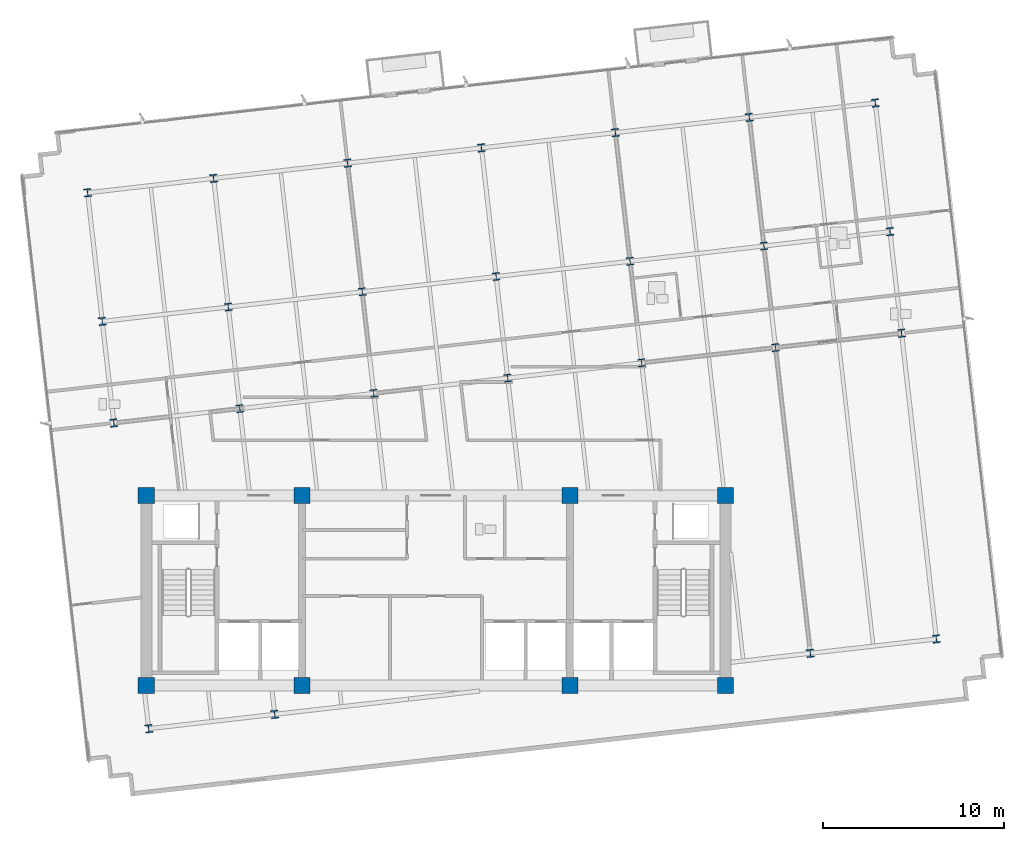
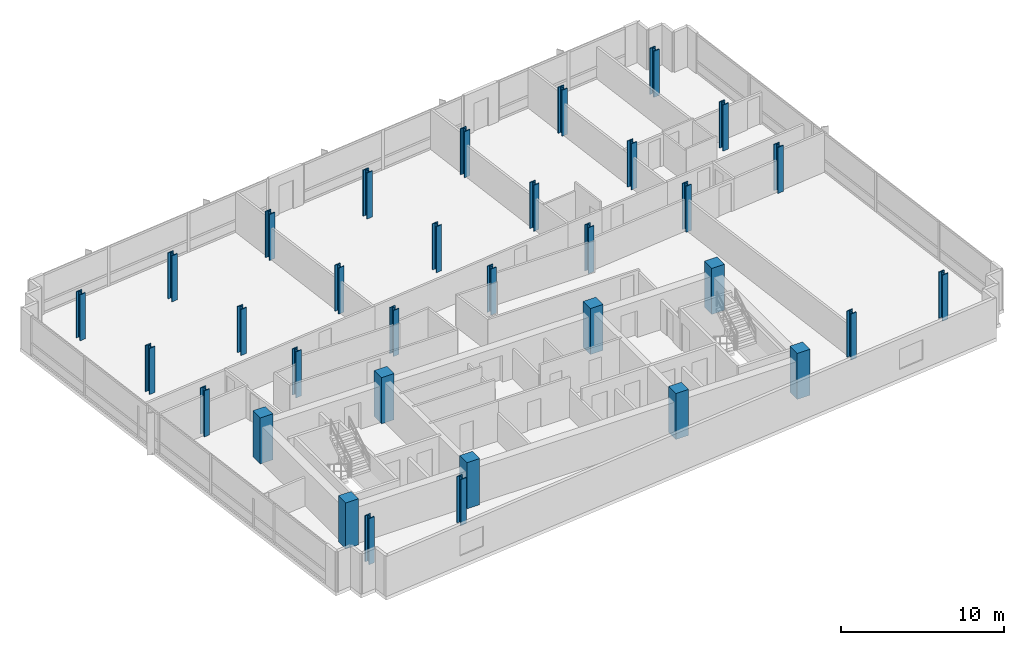
# One storey, part 1 of 14: 33 columns.
"""IFC4 building model written with IfcOpenShell, lengths in metres."""

from ifc_helpers import new_model, si_unit, direction, frame, origin, origin_2d, place, context, subcontext, project, spatial, rectangle, i_section, extrude, material, material_profile, profile_set, type_object, element, save


model = new_model("IFC4")

# Units and contexts
model_context = context("Model", 3, precision=1e-05, world=origin(), true_north=direction((0.0, 1.0)))
body_context = subcontext(model_context, "Body", "Model", "MODEL_VIEW")
ifc_project = project(units=[si_unit("LENGTHUNIT", "METRE"), si_unit("AREAUNIT", "SQUARE_METRE"), si_unit("VOLUMEUNIT", "CUBIC_METRE"), si_unit("PLANEANGLEUNIT", "RADIAN"), si_unit("MASSUNIT", "GRAM", prefix="KILO")], contexts=[model_context])

# Site, building, storey
site_placement = place(None, origin())
site = spatial("IfcSite", under=ifc_project, at=site_placement, CompositionType="ELEMENT")
building_placement = place(site_placement, origin())
building = spatial("IfcBuilding", under=site, at=building_placement, Name="Solmavex Isthmus Hotel", CompositionType="ELEMENT")
storey_placement = place(building_placement, frame((0.0, 0.0, 236.550048828125)))
storey = spatial("IfcBuildingStorey", under=building, at=storey_placement, Name="L64", CompositionType="ELEMENT", Elevation=236.550048828125)

# Columns
ifc_material_1 = material(Name="Concrete C50/60", Category="concrete")
ifc_material_profile_1 = material_profile(ifc_material_1, rectangle(XDim=0.89990234375, YDim=0.89990234375, at=origin_2d()), Name="RC900X900")
ifc_profile_set_1 = profile_set([ifc_material_profile_1], Name="Concrete C50/60")
column_type_1 = type_object("IfcColumnType", Name="COL-CC-900", PredefinedType="COLUMN", material=ifc_profile_set_1)
for number, where, z_axis, x_axis, name in (
    (1, (-16.0, -13.0, 0.0), (0.0, 0.0, 1.0), (1.0, 0.0, 0.0), "Core Pilaster CC-SW L64"),
    (2, (-7.39990234375, -13.0, 0.0), (0.0, 0.0, 1.0), (1.0, 0.0, 0.0), "Core Pilaster CC-S1 L64"),
    (3, (7.39990234375, -13.0, 0.0), (0.0, 0.0, 1.0), (1.0, 0.0, 0.0), "Core Pilaster CC-S2 L64"),
    (4, (16.0, -13.0, 0.0), (0.0, 0.0, 1.0), (1.0, 0.0, 0.0), "Core Pilaster CC-SE L64"),
    (5, (-16.0, -2.5, 0.0), (0.0, 0.0, 1.0), (1.0, 0.0, 0.0), "Core Pilaster CC-NW L64"),
    (6, (-7.39990234375, -2.5, 0.0), (0.0, 0.0, 1.0), (1.0, 0.0, 0.0), "Core Pilaster CC-N1 L64"),
    (7, (7.39990234375, -2.5, 0.0), (0.0, 0.0, 1.0), (1.0, 0.0, 0.0), "Core Pilaster CC-N2 L64"),
    (8, (16.0, -2.5, 0.0), (0.0, 0.0, 1.0), (1.0, 0.0, 0.0), "Core Pilaster CC-NE L64"),
):
    element("IfcColumn", number, at=place(storey_placement, frame(where, z_axis=z_axis, x_axis=x_axis)), inside=storey, type_object=column_type_1, Name=name, PredefinedType="COLUMN", context=body_context, shape_type="SweptSolid", body=[
        extrude(rectangle(XDim=0.89990234375, YDim=0.89990234375, at=origin_2d()), origin(), (0.0, 0.0, 1.0), 3.449951171875),
    ])
ifc_material_2 = material(Name="Steel ASTM A913 Grade 65", Category="steel")
ifc_material_profile_2 = material_profile(ifc_material_2, i_section(OverallWidth=0.412109375, OverallDepth=0.434814453125, WebThickness=0.035888671875, FlangeThickness=0.057373046875, FilletRadius=0.030517578125, at=origin_2d()), Name="W14X311")
ifc_profile_set_2 = profile_set([ifc_material_profile_2], Name="Steel ASTM A913 Grade 65")
column_type_2 = type_object("IfcColumnType", Name="COL-SC-W14X311", PredefinedType="COLUMN", material=ifc_profile_set_2)
for number, where, z_axis, x_axis, name in (
    (9, (-10.833984375, 2.30078125, 0.0), (0.0, 0.0, 1.0), (0.993571855677, 0.113203213768, 0.0), "Tower Column B4-U2V2 L64"),
    (10, (-11.473388671875, 7.912353515625, 0.0), (0.0, 0.0, 1.0), (0.993571855677, 0.113203213768, 0.0), "Tower Column B4-U2V3 L64"),
    (11, (-3.435791015625, 3.1435546875, 0.0), (0.0, 0.0, 1.0), (0.993571855677, 0.113203213768, 0.0), "Tower Column B4-U3V2 L64"),
    (12, (-4.0751953125, 8.75537109375, 0.0), (0.0, 0.0, 1.0), (0.993571855677, 0.113203213768, 0.0), "Tower Column B4-U3V3 L64"),
    (13, (3.962158203125, 3.986572265625, 0.0), (0.0, 0.0, 1.0), (0.993571855677, 0.113203213768, 0.0), "Tower Column B4-U4V2 L64"),
    (14, (3.322998046875, 9.59814453125, 0.0), (0.0, 0.0, 1.0), (0.993571855677, 0.113203213768, 0.0), "Tower Column B4-U4V3 L64"),
    (15, (11.3603515625, 4.829345703125, 0.0), (0.0, 0.0, 1.0), (0.993571855677, 0.113203213768, 0.0), "Tower Column B4-U5V2 L64"),
    (16, (10.720947265625, 10.441162109375, 0.0), (0.0, 0.0, 1.0), (0.993571855677, 0.113203213768, 0.0), "Tower Column B4-U5V3 L64"),
    (17, (18.758544921875, 5.67236328125, 0.0), (0.0, 0.0, 1.0), (0.993571855677, 0.113203213768, 0.0), "Tower Column B4-U6V2 L64"),
    (18, (18.119140625, 11.283935546875, 0.0), (0.0, 0.0, 1.0), (0.993571855677, 0.113203213768, 0.0), "Tower Column B4-U6V3 L64"),
):
    element("IfcColumn", number, at=place(storey_placement, frame(where, z_axis=z_axis, x_axis=x_axis)), inside=storey, type_object=column_type_2, Name=name, PredefinedType="COLUMN", context=body_context, shape_type="SweptSolid", body=[
        extrude(i_section(OverallWidth=0.412109375, OverallDepth=0.434814453125, WebThickness=0.035888671875, FlangeThickness=0.057373046875, FilletRadius=0.030517578125, at=origin_2d()), origin(), (0.0, 0.0, 1.0), 3.449951171875),
    ])
ifc_material_profile_3 = material_profile(ifc_material_2, i_section(OverallWidth=0.41845703125, OverallDepth=0.455078125, WebThickness=0.0419921875, FlangeThickness=0.067626953125, FilletRadius=0.030517578125, at=origin_2d()), Name="W14X370")
ifc_profile_set_3 = profile_set([ifc_material_profile_3], Name="Steel ASTM A913 Grade 65")
column_type_3 = type_object("IfcColumnType", Name="COL-SC-W14X370", PredefinedType="COLUMN", material=ifc_profile_set_3)
for number, where, z_axis, x_axis, name in (
    (19, (-15.87255859375, -15.38330078125, 0.0), (0.0, 0.0, 1.0), (0.993571855677, 0.113203213768, 0.0), "Tower Column B4-U1V1 L64"),
    (20, (-17.796875, 1.50732421875, 0.0), (0.0, 0.0, 1.0), (0.993571855677, 0.113203213768, 0.0), "Tower Column B4-U1V2 L64"),
    (21, (-18.436279296875, 7.119140625, 0.0), (0.0, 0.0, 1.0), (0.993571855677, 0.113203213768, 0.0), "Tower Column B4-U1V3 L64"),
    (22, (-19.245849609375, 14.22509765625, 0.0), (0.0, 0.0, 1.0), (0.993571855677, 0.113203213768, 0.0), "Tower Column B4-U1V4 L64"),
    (23, (-8.909423828125, -14.590087890625, 0.0), (0.0, 0.0, 1.0), (0.993571855677, 0.113203213768, 0.0), "Tower Column B4-U2V1 L64"),
    (24, (-12.282958984375, 15.018310546875, 0.0), (0.0, 0.0, 1.0), (0.993571855677, 0.113203213768, 0.0), "Tower Column B4-U2V4 L64"),
    (25, (-4.884765625, 15.861328125, 0.0), (0.0, 0.0, 1.0), (0.993571855677, 0.113203213768, 0.0), "Tower Column B4-U3V4 L64"),
    (26, (2.51318359375, 16.7041015625, 0.0), (0.0, 0.0, 1.0), (0.993571855677, 0.113203213768, 0.0), "Tower Column B4-U4V4 L64"),
    (27, (9.911376953125, 17.547119140625, 0.0), (0.0, 0.0, 1.0), (0.993571855677, 0.113203213768, 0.0), "Tower Column B4-U5V4 L64"),
    (28, (20.68310546875, -11.218505859375, 0.0), (0.0, 0.0, 1.0), (0.993571855677, 0.113203213768, 0.0), "Tower Column B4-U6V1 L64"),
    (29, (17.3095703125, 18.39013671875, 0.0), (0.0, 0.0, 1.0), (0.993571855677, 0.113203213768, 0.0), "Tower Column B4-U6V4 L64"),
    (30, (27.64599609375, -10.425048828125, 0.0), (0.0, 0.0, 1.0), (0.993571855677, 0.113203213768, 0.0), "Tower Column B4-U7V1 L64"),
    (31, (25.721435546875, 6.465576171875, 0.0), (0.0, 0.0, 1.0), (0.993571855677, 0.113203213768, 0.0), "Tower Column B4-U7V2 L64"),
    (32, (25.08203125, 12.077392578125, 0.0), (0.0, 0.0, 1.0), (0.993571855677, 0.113203213768, 0.0), "Tower Column B4-U7V3 L64"),
    (33, (24.2724609375, 19.183349609375, 0.0), (0.0, 0.0, 1.0), (0.993571855677, 0.113203213768, 0.0), "Tower Column B4-U7V4 L64"),
):
    element("IfcColumn", number, at=place(storey_placement, frame(where, z_axis=z_axis, x_axis=x_axis)), inside=storey, type_object=column_type_3, Name=name, PredefinedType="COLUMN", context=body_context, shape_type="SweptSolid", body=[
        extrude(i_section(OverallWidth=0.41845703125, OverallDepth=0.455078125, WebThickness=0.0419921875, FlangeThickness=0.067626953125, FilletRadius=0.030517578125, at=origin_2d()), origin(), (0.0, 0.0, 1.0), 3.449951171875),
    ])

save(model, "model.ifc")
